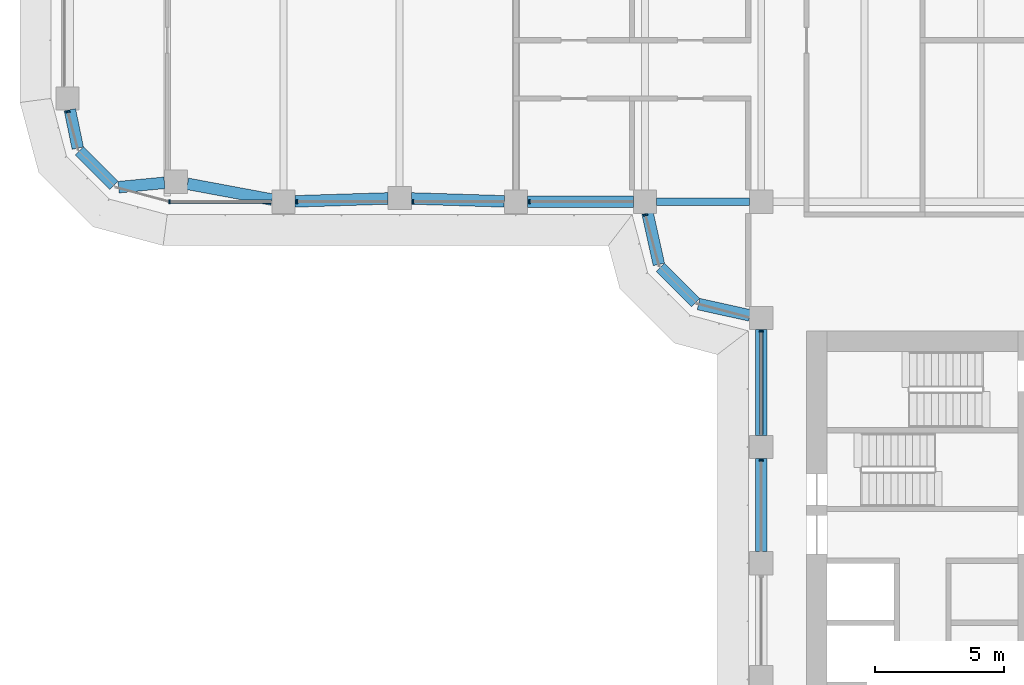
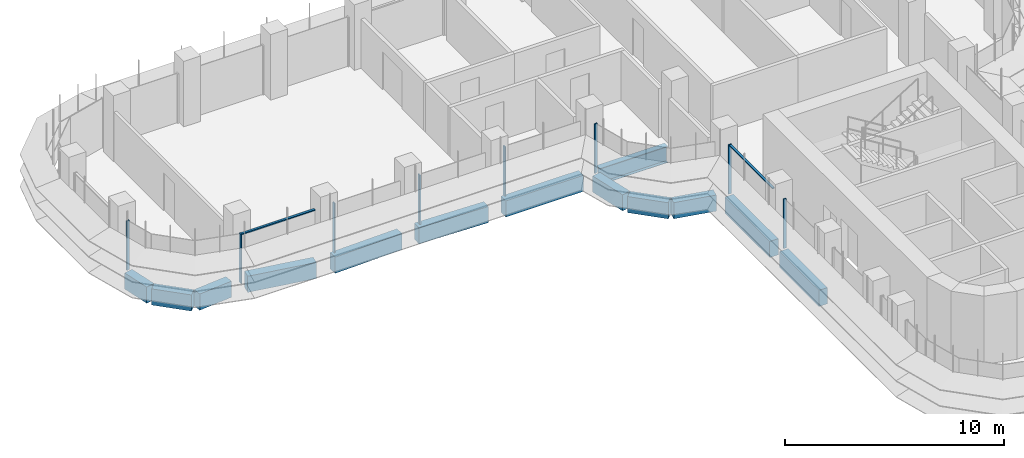
# One storey, part 3 of 22: 13 beams, 10 members, 4 elements without a shape of their own.
"""IFC4 building model written with IfcOpenShell, lengths in metres."""

from ifc_helpers import new_model, si_unit, direction, frame, origin, origin_2d, place, context, subcontext, project, spatial, polyline, rectangle, i_section, outline, extrude, source, transform, mapped, material, material_profile, profile_set, type_object, element, aggregate, save


model = new_model("IFC4")

# Units and contexts
model_context = context("Model", 3, precision=1e-05, world=origin(), true_north=direction((0.0, 1.0)))
body_context = subcontext(model_context, "Body", "Model", "MODEL_VIEW")
ifc_project = project(units=[si_unit("LENGTHUNIT", "METRE"), si_unit("AREAUNIT", "SQUARE_METRE"), si_unit("VOLUMEUNIT", "CUBIC_METRE"), si_unit("PLANEANGLEUNIT", "RADIAN"), si_unit("MASSUNIT", "GRAM", prefix="KILO")], contexts=[model_context])

# Site, building, storey
site_placement = place(None, origin())
site = spatial("IfcSite", under=ifc_project, at=site_placement, CompositionType="ELEMENT")
building_placement = place(site_placement, origin())
building = spatial("IfcBuilding", under=site, at=building_placement, Name="Zarbagh Exchange Tower", CompositionType="ELEMENT")
storey_placement = place(building_placement, frame((0.0, 0.0, 132.199951171875)))
storey = spatial("IfcBuildingStorey", under=building, at=storey_placement, Name="L31", CompositionType="ELEMENT", Elevation=132.199951171875)

# Beams
ifc_material_1 = material(Name="Steel ASTM A992 Gr 50", Category="steel")
ifc_material_profile_1 = material_profile(ifc_material_1, i_section(OverallWidth=0.3046875, OverallDepth=0.911865234375, WebThickness=0.015869140625, FlangeThickness=0.02392578125, at=origin_2d()), Name="W36X150")
ifc_profile_set_1 = profile_set([ifc_material_profile_1], Name="Steel ASTM A992 Gr 50")
beam_type_1 = type_object("IfcBeamType", Name="Floor girder W36X150", PredefinedType="BEAM", material=ifc_profile_set_1)
beam_1_placement = place(storey_placement, frame((-10.300048828125, -6.25, -0.60595703125), z_axis=(1.0, 0.0, 0.0), x_axis=(0.0, 1.0, 0.0)))
element("IfcBeam", 1, at=beam_1_placement, inside=storey, type_object=beam_type_1, Name="Steel girder", PredefinedType="BEAM", context=body_context, shape_type="SweptSolid", body=[
    extrude(i_section(OverallWidth=0.3046875, OverallDepth=0.911865234375, WebThickness=0.015869140625, FlangeThickness=0.02392578125, at=origin_2d()), origin(), (0.0, 0.0, 1.0), 3.60009765625),
])
ifc_material_2 = material(Name="Concrete C60/75", Category="concrete")
ifc_material_profile_2 = material_profile(ifc_material_2, rectangle(XDim=0.449951171875, YDim=0.89990234375, at=origin_2d()), Name="RC spandrel beam 450 x 900 C60/75")
ifc_profile_set_2 = profile_set([ifc_material_profile_2], Name="Concrete C60/75")
beam_type_2 = type_object("IfcBeamType", Name="RC spandrel beam 450 x 900 C60/75", PredefinedType="SPANDREL", material=ifc_profile_set_2)
beam_2_placement = place(storey_placement, frame((-6.25, -19.800048828125, -0.599853515625), z_axis=(0.0, 1.0, 0.0), x_axis=(-1.0, 0.0, 0.0)))
element("IfcBeam", 2, at=beam_2_placement, inside=storey, type_object=beam_type_2, Name="RC spandrel beam", PredefinedType="SPANDREL", context=body_context, shape_type="SweptSolid", body=[
    extrude(rectangle(XDim=0.449951171875, YDim=0.89990234375, at=origin_2d()), origin(), (0.0, 0.0, 1.0), 3.60009765625),
])
beam_3_placement = place(storey_placement, frame((-6.25, -15.300048828125, -0.599853515625), z_axis=(0.0, 1.0, 0.0), x_axis=(-1.0, 0.0, 0.0)))
element("IfcBeam", 3, at=beam_3_placement, inside=storey, type_object=beam_type_2, Name="RC spandrel beam", PredefinedType="SPANDREL", context=body_context, shape_type="SweptSolid", body=[
    extrude(rectangle(XDim=0.449951171875, YDim=0.89990234375, at=origin_2d()), origin(), (0.0, 0.0, 1.0), 4.10009765625),
])
beam_4_placement = place(storey_placement, frame((-6.689453125, -10.65283203125, -0.599853515625), z_axis=(-0.976367325525, 0.216117666208, 0.0), x_axis=(-0.216117666208, -0.976367325525, 0.0)))
element("IfcBeam", 4, at=beam_4_placement, inside=storey, type_object=beam_type_2, Name="RC spandrel beam", PredefinedType="SPANDREL", context=body_context, shape_type="SweptSolid", body=[
    extrude(rectangle(XDim=0.449951171875, YDim=0.89990234375, at=origin_2d()), origin(), (0.0, 0.0, 1.0), 2.03564453125),
])
beam_5_placement = place(storey_placement, frame((-8.78759765625, -10.15234375, -0.599853515625), z_axis=(-0.707106781187, 0.707106781187, 0.0), x_axis=(-0.707106781187, -0.707106781187, 0.0)))
element("IfcBeam", 5, at=beam_5_placement, inside=storey, type_object=beam_type_2, Name="RC spandrel beam", PredefinedType="SPANDREL", context=body_context, shape_type="SweptSolid", body=[
    extrude(rectangle(XDim=0.449951171875, YDim=0.89990234375, at=origin_2d()), origin(), (0.0, 0.0, 1.0), 1.929931640625),
])
beam_6_placement = place(storey_placement, frame((-10.212890625, -8.677001953125, -0.599853515625), z_axis=(-0.216117666208, 0.976367325525, 0.0), x_axis=(-0.976367325525, -0.216117666208, 0.0)))
element("IfcBeam", 6, at=beam_6_placement, inside=storey, type_object=beam_type_2, Name="RC spandrel beam", PredefinedType="SPANDREL", context=body_context, shape_type="SweptSolid", body=[
    extrude(rectangle(XDim=0.449951171875, YDim=0.89990234375, at=origin_2d()), origin(), (0.0, 0.0, 1.0), 2.03564453125),
])
beam_7_placement = place(storey_placement, frame((-11.199951171875, -6.25, -0.599853515625), z_axis=(-1.0, 0.0, 0.0), x_axis=(0.0, -1.0, 0.0)))
element("IfcBeam", 7, at=beam_7_placement, inside=storey, type_object=beam_type_2, Name="RC spandrel beam", PredefinedType="SPANDREL", context=body_context, shape_type="SweptSolid", body=[
    extrude(rectangle(XDim=0.449951171875, YDim=0.89990234375, at=origin_2d()), origin(), (0.0, 0.0, 1.0), 4.10009765625),
])
for number, where, z_axis, x_axis, name in (
    (8, (-16.19970703125, -6.236083984375, -0.599853515625), (-0.999516035224, 0.031107801747, 0.0), (-0.031107801747, -0.999516035224, 0.0), "RC spandrel beam"),
    (9, (-20.69970703125, -6.1240234375, -0.599853515625), (-0.999516035224, -0.031107801747, 0.0), (0.031107801747, -0.999516035224, 0.0), "RC spandrel beam"),
):
    element("IfcBeam", number, at=place(storey_placement, frame(where, z_axis=z_axis, x_axis=x_axis)), inside=storey, type_object=beam_type_2, Name=name, PredefinedType="SPANDREL", context=body_context, shape_type="SweptSolid", body=[
        extrude(rectangle(XDim=0.449951171875, YDim=0.89990234375, at=origin_2d()), origin(), (0.0, 0.0, 1.0), 3.602294921875),
    ])
beam_8_placement = place(storey_placement, frame((-25.1923828125, -6.16748046875, -0.599853515625), z_axis=(-0.98308156541, 0.183168326277, 0.0), x_axis=(-0.183168326277, -0.98308156541, 0.0)))
element("IfcBeam", 10, at=beam_8_placement, inside=storey, type_object=beam_type_2, Name="RC spandrel beam", PredefinedType="SPANDREL", context=body_context, shape_type="SweptSolid", body=[
    extrude(rectangle(XDim=0.449951171875, YDim=0.89990234375, at=origin_2d()), origin(), (0.0, 0.0, 1.0), 3.32958984375),
])
beam_9_placement = place(storey_placement, frame((-29.35595703125, -5.51806640625, -0.599853515625), z_axis=(-0.995433267802, -0.095459988228, 0.0), x_axis=(0.095459988228, -0.995433267802, 0.0)))
element("IfcBeam", 11, at=beam_9_placement, inside=storey, type_object=beam_type_2, Name="RC spandrel beam", PredefinedType="SPANDREL", context=body_context, shape_type="SweptSolid", body=[
    extrude(rectangle(XDim=0.449951171875, YDim=0.89990234375, at=origin_2d()), origin(), (0.0, 0.0, 1.0), 1.78759765625),
])
beam_10_placement = place(storey_placement, frame((-31.316162109375, -5.623779296875, -0.599853515625), z_axis=(-0.707106781187, 0.707106781187, 0.0), x_axis=(-0.707106781187, -0.707106781187, 0.0)))
element("IfcBeam", 12, at=beam_10_placement, inside=storey, type_object=beam_type_2, Name="RC spandrel beam", PredefinedType="SPANDREL", context=body_context, shape_type="SweptSolid", body=[
    extrude(rectangle(XDim=0.449951171875, YDim=0.89990234375, at=origin_2d()), origin(), (0.0, 0.0, 1.0), 1.887939453125),
])
beam_11_placement = place(storey_placement, frame((-32.71240234375, -4.17529296875, -0.599853515625), z_axis=(-0.202275417995, 0.979328675816, 0.0), x_axis=(-0.979328675816, -0.202275417995, 0.0)))
element("IfcBeam", 13, at=beam_11_placement, inside=storey, type_object=beam_type_2, Name="RC spandrel beam", PredefinedType="SPANDREL", context=body_context, shape_type="SweptSolid", body=[
    extrude(rectangle(XDim=0.449951171875, YDim=0.89990234375, at=origin_2d()), origin(), (0.0, 0.0, 1.0), 1.515869140625),
])

# Curtain wall, member
ifc_material_3 = material(Name="Anodised aluminium frame and glazing", Category="aluminium")
curtain_wall_type = type_object("IfcCurtainWallType", Name="CWA Ribbon glazing, lower zones", PredefinedType="NOTDEFINED", material=ifc_material_3)
curtain_wall_1_placement = place(storey_placement, origin())
curtain_wall_1 = element("IfcCurtainWall", 14, at=curtain_wall_1_placement, inside=storey, type_object=curtain_wall_type, Name="CWA37 curtain wall", PredefinedType="NOTDEFINED")
ifc_material_4 = material(Name="Anodised aluminium frame", Category="aluminium")
member_type_1 = type_object("IfcMemberType", Name="MUA Mullion, anodised aluminium frame", PredefinedType="MULLION", material=ifc_material_4)
shared_shape_1 = source(origin(), body_context, "Body", "SweptSolid", [
    extrude(outline(polyline([(0.0, -0.080078125), (0.06005859375, -0.080078125), (0.06005859375, 0.080078125), (0.0, 0.080078125), (0.0, -0.080078125)])), origin(), (0.0, 0.0, 1.0), 2.75),
])
placement = place(storey_placement, origin())
member_1 = element("IfcMember", 15, at=placement, type_object=member_type_1, Name="CWA37 mullion 1.1", PredefinedType="MULLION", context=body_context, shape_type="MappedRepresentation", body=[
    mapped(shared_shape_1, transform((-33.10107421875, -2.739990234375, 0.0), x_axis=(0.258824779902, -0.965924289636, 0.0), y_axis=(0.965924289636, 0.258824779902, 0.0), z_axis=(0.0, 0.0, 1.0))),
])
aggregate(curtain_wall_1, [member_1])

# Curtain wall, members
curtain_wall_2_placement = place(storey_placement, origin())
curtain_wall_2 = element("IfcCurtainWall", 16, at=curtain_wall_2_placement, inside=storey, type_object=curtain_wall_type, Name="CWA40 curtain wall", PredefinedType="NOTDEFINED")
member_2 = element("IfcMember", 17, at=placement, type_object=member_type_1, Name="CWA40 mullion 1.1", PredefinedType="MULLION", context=body_context, shape_type="MappedRepresentation", body=[
    mapped(shared_shape_1, transform((-29.18408203125, -6.25, 0.0), x_axis=(1.0, 0.0, 0.0), y_axis=(0.0, 1.0, 0.0), z_axis=(0.0, 0.0, 1.0))),
])
member_3 = element("IfcMember", 18, at=placement, type_object=member_type_1, Name="CWA40 mullion 2.1", PredefinedType="MULLION", context=body_context, shape_type="MappedRepresentation", body=[
    mapped(shared_shape_1, transform((-24.260009765625, -6.25, 0.0), x_axis=(1.0, 0.0, 0.0), y_axis=(0.0, 1.0, 0.0), z_axis=(0.0, 0.0, 1.0))),
])
member_4 = element("IfcMember", 19, at=placement, type_object=member_type_1, Name="CWA40 mullion 3.1", PredefinedType="MULLION", context=body_context, shape_type="MappedRepresentation", body=[
    mapped(shared_shape_1, transform((-19.760009765625, -6.25, 0.0), x_axis=(1.0, 0.0, 0.0), y_axis=(0.0, 1.0, 0.0), z_axis=(0.0, 0.0, 1.0))),
])
member_5 = element("IfcMember", 20, at=placement, type_object=member_type_1, Name="CWA40 mullion 4.1", PredefinedType="MULLION", context=body_context, shape_type="MappedRepresentation", body=[
    mapped(shared_shape_1, transform((-15.260009765625, -6.25, 0.0), x_axis=(1.0, 0.0, 0.0), y_axis=(0.0, 1.0, 0.0), z_axis=(0.0, 0.0, 1.0))),
])

# Curtain wall, member
curtain_wall_3_placement = place(storey_placement, origin())
curtain_wall_3 = element("IfcCurtainWall", 21, at=curtain_wall_3_placement, inside=storey, type_object=curtain_wall_type, Name="CWA41 curtain wall", PredefinedType="NOTDEFINED")
member_6 = element("IfcMember", 22, at=placement, type_object=member_type_1, Name="CWA41 mullion 1.1", PredefinedType="MULLION", context=body_context, shape_type="MappedRepresentation", body=[
    mapped(shared_shape_1, transform((-10.735107421875, -6.739990234375, 0.0), x_axis=(0.258824779902, -0.965924289636, 0.0), y_axis=(0.965924289636, 0.258824779902, 0.0), z_axis=(0.0, 0.0, 1.0))),
])
aggregate(curtain_wall_3, [member_6])

# Curtain wall, members
curtain_wall_4_placement = place(storey_placement, origin())
curtain_wall_4 = element("IfcCurtainWall", 23, at=curtain_wall_4_placement, inside=storey, type_object=curtain_wall_type, Name="CWA44 curtain wall", PredefinedType="NOTDEFINED")
member_7 = element("IfcMember", 24, at=placement, type_object=member_type_1, Name="CWA44 mullion 1.1", PredefinedType="MULLION", context=body_context, shape_type="MappedRepresentation", body=[
    mapped(shared_shape_1, transform((-6.25, -11.239990234375, 0.0), x_axis=(0.0, -1.0, 0.0), y_axis=(1.0, 0.0, 0.0), z_axis=(0.0, 0.0, 1.0))),
])
member_8 = element("IfcMember", 25, at=placement, type_object=member_type_1, Name="CWA44 mullion 2.1", PredefinedType="MULLION", context=body_context, shape_type="MappedRepresentation", body=[
    mapped(shared_shape_1, transform((-6.25, -16.239990234375, 0.0), x_axis=(0.0, -1.0, 0.0), y_axis=(1.0, 0.0, 0.0), z_axis=(0.0, 0.0, 1.0))),
])
member_type_2 = type_object("IfcMemberType", Name="TRA Transom, anodised aluminium frame", PredefinedType="USERDEFINED", material=ifc_material_4)
shared_shape_2 = source(origin(), body_context, "Body", "SweptSolid", [
    extrude(outline(polyline([(-0.06005859375, -0.06005859375), (0.0, -0.06005859375), (0.0, 0.06005859375), (-0.06005859375, 0.06005859375), (-0.06005859375, -0.06005859375)])), origin(), (0.0, 0.0, 1.0), 3.9599609375),
])
member_9 = element("IfcMember", 26, at=placement, type_object=member_type_2, Name="CWA44 transom 1.1", ObjectType="TRANSOM", PredefinedType="USERDEFINED", context=body_context, shape_type="MappedRepresentation", body=[
    mapped(shared_shape_2, transform((-6.25, -11.300048828125, 2.75), x_axis=(0.0, 0.0, 1.0), y_axis=(-1.0, 0.0, 0.0), z_axis=(0.0, -1.0, 0.0))),
])
aggregate(curtain_wall_4, [member_7, member_9, member_8])

# Member
shared_shape_3 = source(origin(), body_context, "Body", "SweptSolid", [
    extrude(outline(polyline([(-0.06005859375, -0.06005859375), (0.0, -0.06005859375), (0.0, 0.06005859375), (-0.06005859375, 0.06005859375), (-0.06005859375, -0.06005859375)])), origin(), (0.0, 0.0, 1.0), 3.88427734375),
])
member_10 = element("IfcMember", 27, at=placement, type_object=member_type_2, Name="CWA40 transom 1.1", ObjectType="TRANSOM", PredefinedType="USERDEFINED", context=body_context, shape_type="MappedRepresentation", body=[
    mapped(shared_shape_3, transform((-29.124267578125, -6.25, 2.75), x_axis=(0.0, 0.0, 1.0), y_axis=(0.0, -1.0, 0.0), z_axis=(1.0, 0.0, 0.0))),
])

aggregate(curtain_wall_2, [member_2, member_10, member_3, member_4, member_5])

save(model, "model.ifc")
